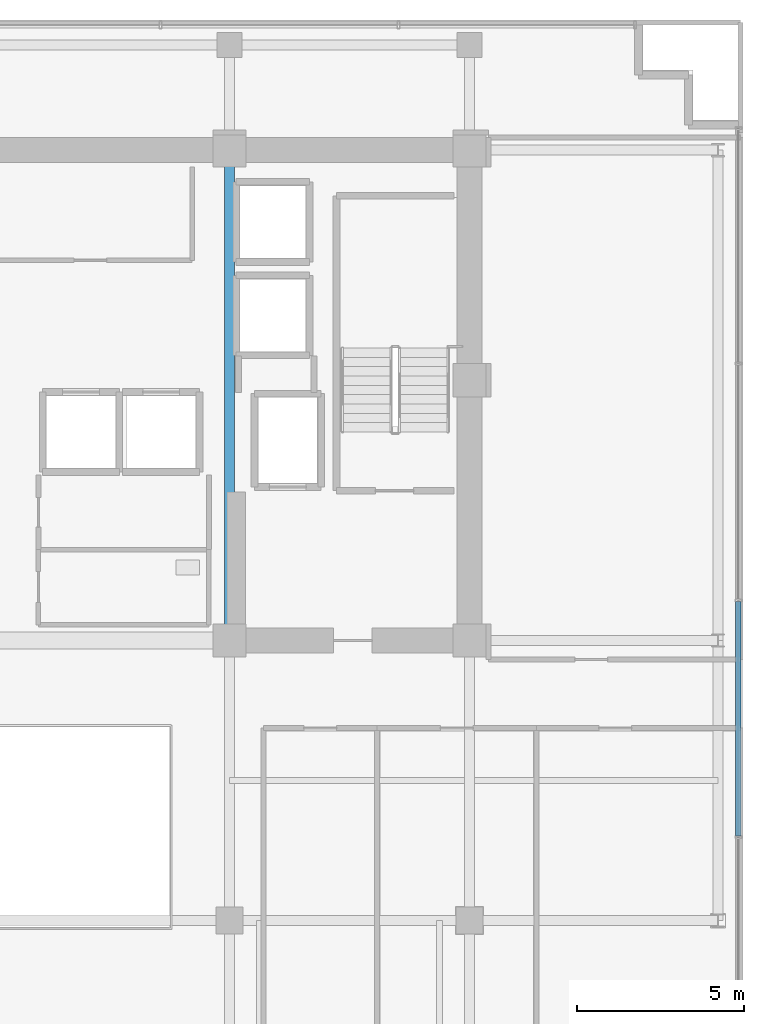
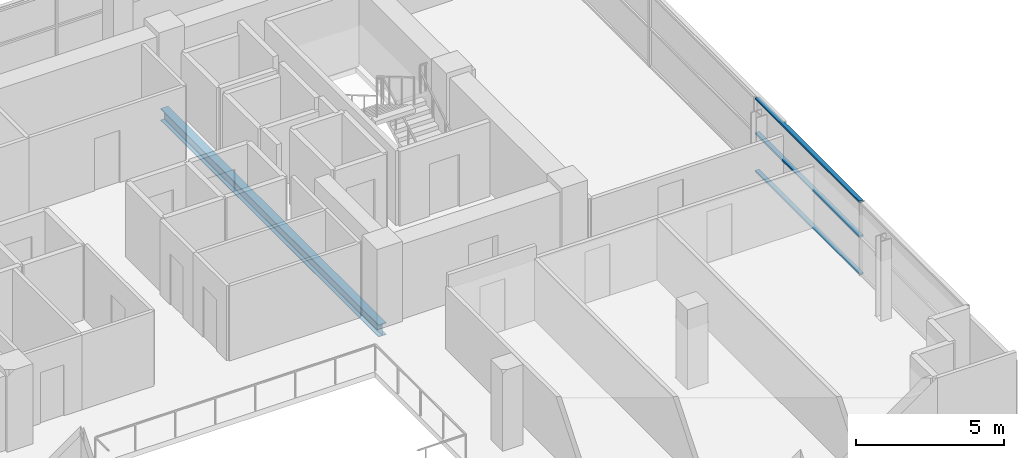
# One storey, part 7 of 21: 3 members, 1 beam, 1 element without a shape of its own.
"""IFC4 building model written with IfcOpenShell, lengths in metres."""

from ifc_helpers import new_model, si_unit, direction, frame, origin, origin_2d, place, context, subcontext, project, spatial, hollow_rectangle, i_section, extrude, source, transform, mapped, material, layer, layer_set, material_profile, profile_set, type_object, element, aggregate, save


model = new_model("IFC4")

# Units and contexts
model_context = context("Model", 3, precision=1e-05, world=origin(), true_north=direction((0.0, 1.0)))
body_context = subcontext(model_context, "Body", "Model", "MODEL_VIEW")
ifc_project = project(units=[si_unit("LENGTHUNIT", "METRE"), si_unit("AREAUNIT", "SQUARE_METRE"), si_unit("VOLUMEUNIT", "CUBIC_METRE"), si_unit("PLANEANGLEUNIT", "RADIAN"), si_unit("MASSUNIT", "GRAM", prefix="KILO")], contexts=[model_context])

# Site, building, storey
site_placement = place(None, origin())
site = spatial("IfcSite", under=ifc_project, at=site_placement, CompositionType="ELEMENT")
building_placement = place(site_placement, origin())
building = spatial("IfcBuilding", under=site, at=building_placement, Name="Zarnakvel Exchange Tower", CompositionType="ELEMENT")
storey_placement = place(building_placement, frame((0.0, 0.0, 159.39990234375)))
storey = spatial("IfcBuildingStorey", under=building, at=storey_placement, Name="L44", CompositionType="ELEMENT", Elevation=159.39990234375)

# Beam
ifc_material_1 = material(Name="Steel S355", Category="steel")
ifc_material_profile_1 = material_profile(ifc_material_1, i_section(OverallWidth=0.300048828125, OverallDepth=0.5, WebThickness=0.014404296875, FlangeThickness=0.028076171875, FilletRadius=0.027099609375, at=origin_2d()))
ifc_profile_set_1 = profile_set([ifc_material_profile_1], Name="Steel S355")
beam_type = type_object("IfcBeamType", Name="G-06", PredefinedType="BEAM", material=ifc_profile_set_1)
beam_placement = place(storey_placement, frame((7.199951171875, -1.199951171875, -0.474853515625), z_axis=(0.0, 1.0, 0.0), x_axis=(-1.0, 0.0, 0.0)))
element("IfcBeam", 1, at=beam_placement, inside=storey, type_object=beam_type, Name="L44 Tower N-S Frame Beam", PredefinedType="BEAM", context=body_context, shape_type="SweptSolid", body=[
    extrude(i_section(OverallWidth=0.300048828125, OverallDepth=0.5, WebThickness=0.014404296875, FlangeThickness=0.028076171875, FilletRadius=0.027099609375, at=origin_2d()), origin(), (0.0, 0.0, 1.0), 14.699951171875),
])

# Curtain wall, members
ifc_material_2 = material(Name="Architectural Bronze Anodised Aluminium", Category="aluminium")
ifc_layer = layer(ifc_material_2, 0.199951171875)
ifc_layer_set = layer_set([ifc_layer], Name="Architectural Bronze Anodised Aluminium")
curtain_wall_type = type_object("IfcCurtainWallType", Name="CW-04", PredefinedType="NOTDEFINED", material=ifc_layer_set)
curtain_wall_placement = place(storey_placement, origin())
curtain_wall = element("IfcCurtainWall", 2, at=curtain_wall_placement, inside=storey, type_object=curtain_wall_type, Name="L44 Curtain Wall CW-L44-E1 (CW-04)", PredefinedType="NOTDEFINED")
ifc_material_profile_2 = material_profile(ifc_material_2, hollow_rectangle(XDim=0.159912109375, YDim=0.074951171875, WallThickness=0.00390625, at=origin_2d()))
ifc_profile_set_2 = profile_set([ifc_material_profile_2], Name="Architectural Bronze Anodised Aluminium")
member_type = type_object("IfcMemberType", Name="CWT-04", PredefinedType="USERDEFINED", material=ifc_profile_set_2)
shared_shape = source(origin(), body_context, "Body", "SweptSolid", [
    extrude(hollow_rectangle(XDim=0.159912109375, YDim=0.074951171875, WallThickness=0.00390625, at=origin_2d()), origin(), (0.0, 0.0, 1.0), 7.02490234375),
])
member_1_placement = place(storey_placement, frame((22.4599609375, -7.0625, 0.03759765625), z_axis=(0.0, 1.0, 0.0), x_axis=(-1.0, 0.0, 0.0)))
member_1 = element("IfcMember", 3, at=member_1_placement, type_object=member_type, Name="CW-04 transom 2.1", ObjectType="TRANSOM", PredefinedType="USERDEFINED", context=body_context, shape_type="MappedRepresentation", body=[
    mapped(shared_shape, transform((0.0, 0.0, 0.0), x_axis=(1.0, 0.0, 0.0), y_axis=(0.0, 1.0, 0.0), z_axis=(0.0, 0.0, 1.0), scale=1.0)),
])
member_2_placement = place(storey_placement, frame((22.4599609375, -7.0625, 1.588623046875), z_axis=(0.0, 1.0, 0.0), x_axis=(-1.0, 0.0, 0.0)))
member_2 = element("IfcMember", 4, at=member_2_placement, type_object=member_type, Name="CW-04 transom 2.2", ObjectType="TRANSOM", PredefinedType="USERDEFINED", context=body_context, shape_type="MappedRepresentation", body=[
    mapped(shared_shape, transform((0.0, 0.0, 0.0), x_axis=(1.0, 0.0, 0.0), y_axis=(0.0, 1.0, 0.0), z_axis=(0.0, 0.0, 1.0), scale=1.0)),
])
member_3_placement = place(storey_placement, frame((22.4599609375, -7.0625, 3.017578125), z_axis=(0.0, 1.0, 0.0), x_axis=(-1.0, 0.0, 0.0)))
member_3 = element("IfcMember", 5, at=member_3_placement, type_object=member_type, Name="CW-04 transom 2.3", ObjectType="TRANSOM", PredefinedType="USERDEFINED", context=body_context, shape_type="MappedRepresentation", body=[
    mapped(shared_shape, transform((0.0, 0.0, 0.0), x_axis=(1.0, 0.0, 0.0), y_axis=(0.0, 1.0, 0.0), z_axis=(0.0, 0.0, 1.0), scale=1.0)),
])
aggregate(curtain_wall, [member_1, member_2, member_3])

save(model, "model.ifc")
